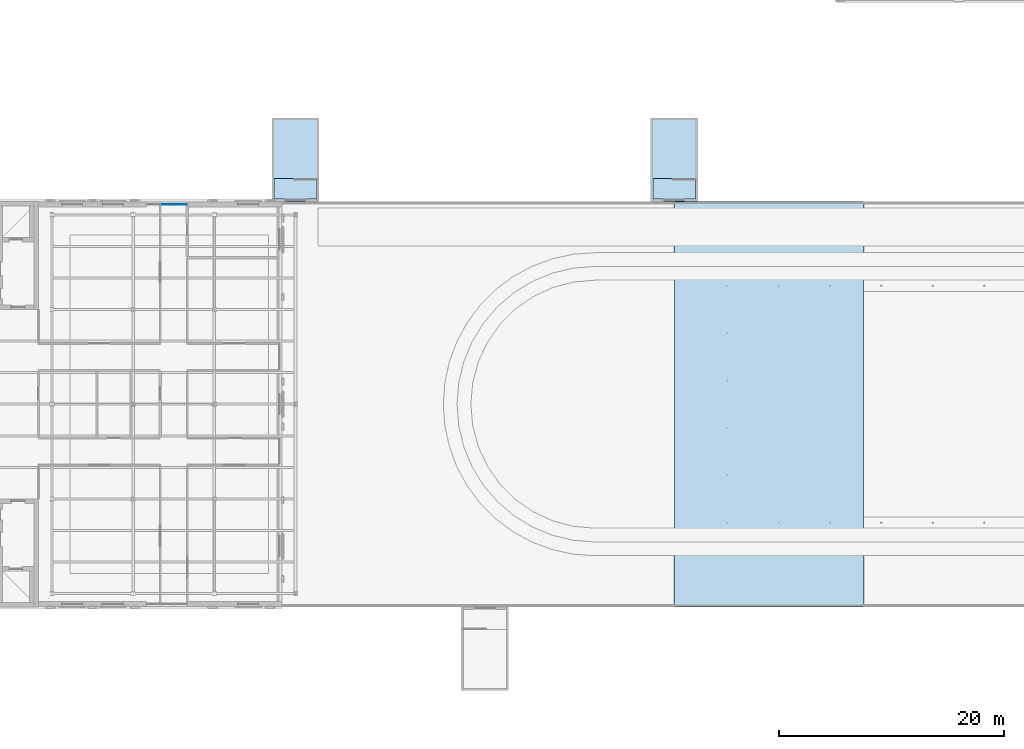
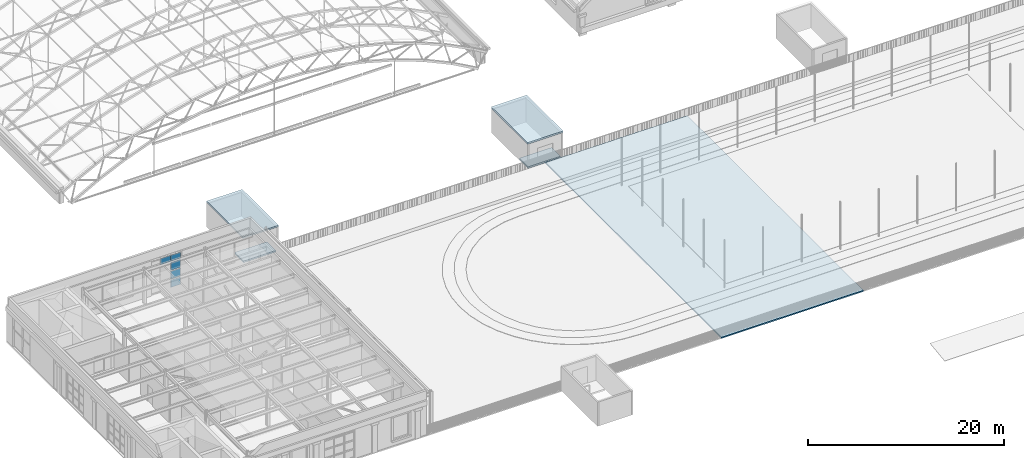
# One storey, part 69 of 127: 5 plates, 5 slabs, 1 element without a shape of its own.
"""IFC4 building model written with IfcOpenShell, lengths in metres."""

from ifc_helpers import new_model, si_unit, direction, frame, origin, origin_2d, place, context, subcontext, project, spatial, polyline, rectangle, outline, extrude, material, layer, layer_set, type_object, element, aggregate, save


model = new_model("IFC4")

# Units and contexts
model_context = context("Model", 3, precision=1e-05, world=origin(), true_north=direction((0.0, 1.0)))
body_context = subcontext(model_context, "Body", "Model", "MODEL_VIEW")
ifc_project = project(units=[si_unit("LENGTHUNIT", "METRE"), si_unit("AREAUNIT", "SQUARE_METRE"), si_unit("VOLUMEUNIT", "CUBIC_METRE"), si_unit("PLANEANGLEUNIT", "RADIAN"), si_unit("MASSUNIT", "GRAM", prefix="KILO")], contexts=[model_context])

# Site, building, storey
site_placement = place(None, origin())
site = spatial("IfcSite", under=ifc_project, at=site_placement, CompositionType="ELEMENT")
building_placement = place(site_placement, origin())
building = spatial("IfcBuilding", under=site, at=building_placement, Name="Verrick Yard Athletic Hall", CompositionType="ELEMENT")
storey_placement = place(building_placement, frame((0.0, 0.0, 14.0)))
storey = spatial("IfcBuildingStorey", under=building, at=storey_placement, Name="L03", CompositionType="ELEMENT", Elevation=14.0)

# Slabs
ifc_material_1 = material(Name="Concrete 35 MPa", Category="concrete")
ifc_layer_1 = layer(ifc_material_1, 0.199951171875)
ifc_layer_set_1 = layer_set([ifc_layer_1], Name="Core floor slab 200")
slab_type_1 = type_object("IfcSlabType", Name="Core floor slab 200", PredefinedType="FLOOR", material=ifc_layer_set_1)
slab_1_placement = place(storey_placement, frame((0.0, 0.0, -0.199951171875)))
element("IfcSlab", 1, at=slab_1_placement, inside=storey, type_object=slab_type_1, Name="CORE-DT-N1-NL-L03", PredefinedType="FLOOR", context=body_context, shape_type="SweptSolid", body=[
    extrude(outline(polyline([(41.89990234375, 54.199951171875), (41.89990234375, 56.0), (38.10009765625, 56.0), (38.10009765625, 54.199951171875), (41.89990234375, 54.199951171875)])), origin(), (0.0, 0.0, 1.0), 0.199951171875),
])
slab_2_placement = place(storey_placement, frame((0.0, 0.0, -0.199951171875)))
element("IfcSlab", 2, at=slab_2_placement, inside=storey, type_object=slab_type_1, Name="CORE-DT-N3-NL-L03", PredefinedType="FLOOR", context=body_context, shape_type="SweptSolid", body=[
    extrude(outline(polyline([(75.5, 54.199951171875), (75.5, 56.0), (71.699951171875, 56.0), (71.699951171875, 54.199951171875), (75.5, 54.199951171875)])), origin(), (0.0, 0.0, 1.0), 0.199951171875),
])
ifc_layer_2 = layer(ifc_material_1, 0.199951171875)
ifc_layer_set_2 = layer_set([ifc_layer_2], Name="Core roof slab 200")
slab_type_2 = type_object("IfcSlabType", Name="Core roof slab 200", PredefinedType="ROOF", material=ifc_layer_set_2)
slab_3_placement = place(storey_placement, frame((0.0, 0.0, 3.0)))
element("IfcSlab", 3, at=slab_3_placement, inside=storey, type_object=slab_type_2, Name="CORE-DT-N1-COVER", PredefinedType="ROOF", context=body_context, shape_type="SweptSolid", body=[
    extrude(outline(polyline([(37.89990234375, 54.0), (42.10009765625, 54.0), (42.10009765625, 61.39990234375), (37.89990234375, 61.39990234375), (37.89990234375, 54.0)])), origin(), (0.0, 0.0, 1.0), 0.199951171875),
])
slab_4_placement = place(storey_placement, frame((0.0, 0.0, 3.0)))
element("IfcSlab", 4, at=slab_4_placement, inside=storey, type_object=slab_type_2, Name="CORE-DT-N3-COVER", PredefinedType="ROOF", context=body_context, shape_type="SweptSolid", body=[
    extrude(outline(polyline([(71.5, 54.0), (75.699951171875, 54.0), (75.699951171875, 61.39990234375), (71.5, 61.39990234375), (71.5, 54.0)])), origin(), (0.0, 0.0, 1.0), 0.199951171875),
])

# Curtain wall, plates
ifc_material_2 = material(Name="Anodised aluminium", Category="aluminium")
ifc_layer_3 = layer(ifc_material_2, 0.199951171875)
ifc_layer_set_3 = layer_set([ifc_layer_3], Name="Front glazing")
curtain_wall_type = type_object("IfcCurtainWallType", Name="Front glazing", PredefinedType="NOTDEFINED", material=ifc_layer_set_3)
curtain_wall_placement = place(storey_placement, origin())
curtain_wall = element("IfcCurtainWall", 5, at=curtain_wall_placement, inside=storey, type_object=curtain_wall_type, Name="ENVB-WN-L03-CW268", PredefinedType="NOTDEFINED")
ifc_material_3 = material(Name="Glass IGU low-e", Category="glass")
ifc_layer_4 = layer(ifc_material_3, 0.03125)
ifc_layer_set_4 = layer_set([ifc_layer_4], Name="Glazing panel 31")
plate_type = type_object("IfcPlateType", Name="Glazing panel 31", PredefinedType="CURTAIN_PANEL", material=ifc_layer_set_4)
plate_1_placement = place(storey_placement, frame((28.60009765625, 53.71875, 3.360107421875), z_axis=(0.0, 0.0, 1.0), x_axis=(1.0, 0.0, 0.0)))
plate_1 = element("IfcPlate", 6, at=plate_1_placement, type_object=plate_type, Name="ENVB-WN-L03-CW268/P01-03", PredefinedType="CURTAIN_PANEL", context=body_context, shape_type="SweptSolid", body=[
    extrude(rectangle(XDim=1.139892578125, YDim=0.03125, at=origin_2d()), origin(), (0.0, 0.0, 1.0), 0.77001953125),
])
plate_2_placement = place(storey_placement, frame((29.784912109375, 53.71875, 0.1201171875), z_axis=(0.0, 0.0, 1.0), x_axis=(1.0, 0.0, 0.0)))
plate_2 = element("IfcPlate", 7, at=plate_2_placement, type_object=plate_type, Name="ENVB-WN-L03-CW268/P02-00", PredefinedType="CURTAIN_PANEL", context=body_context, shape_type="SweptSolid", body=[
    extrude(rectangle(XDim=1.110107421875, YDim=0.03125, at=origin_2d()), origin(), (0.0, 0.0, 1.0), 0.919921875),
])
plate_3_placement = place(storey_placement, frame((29.784912109375, 53.71875, 1.159912109375), z_axis=(0.0, 0.0, 1.0), x_axis=(1.0, 0.0, 0.0)))
plate_3 = element("IfcPlate", 8, at=plate_3_placement, type_object=plate_type, Name="ENVB-WN-L03-CW268/P02-01", PredefinedType="CURTAIN_PANEL", context=body_context, shape_type="SweptSolid", body=[
    extrude(rectangle(XDim=1.110107421875, YDim=0.03125, at=origin_2d()), origin(), (0.0, 0.0, 1.0), 0.97998046875),
])
plate_4_placement = place(storey_placement, frame((29.784912109375, 53.71875, 2.260009765625), z_axis=(0.0, 0.0, 1.0), x_axis=(1.0, 0.0, 0.0)))
plate_4 = element("IfcPlate", 9, at=plate_4_placement, type_object=plate_type, Name="ENVB-WN-L03-CW268/P02-02", PredefinedType="CURTAIN_PANEL", context=body_context, shape_type="SweptSolid", body=[
    extrude(rectangle(XDim=1.110107421875, YDim=0.03125, at=origin_2d()), origin(), (0.0, 0.0, 1.0), 0.97998046875),
])
plate_5_placement = place(storey_placement, frame((29.784912109375, 53.71875, 3.360107421875), z_axis=(0.0, 0.0, 1.0), x_axis=(1.0, 0.0, 0.0)))
plate_5 = element("IfcPlate", 10, at=plate_5_placement, type_object=plate_type, Name="ENVB-WN-L03-CW268/P02-03", PredefinedType="CURTAIN_PANEL", context=body_context, shape_type="SweptSolid", body=[
    extrude(rectangle(XDim=1.110107421875, YDim=0.03125, at=origin_2d()), origin(), (0.0, 0.0, 1.0), 0.77001953125),
])
aggregate(curtain_wall, [plate_1, plate_2, plate_3, plate_4, plate_5])

# Slab
ifc_layer_5 = layer(ifc_material_1, 0.14990234375)
ifc_layer_set_5 = layer_set([ifc_layer_5], Name="STR Composite deck slab SL3")
slab_type_3 = type_object("IfcSlabType", Name="STR Composite deck slab SL3", PredefinedType="ROOF", material=ifc_layer_set_5)
slab_5_placement = place(storey_placement, frame((0.0, 0.0, -0.14990234375)))
element("IfcSlab", 11, at=slab_5_placement, inside=storey, type_object=slab_type_3, Name="STR-SL-DECK-DZ2A", PredefinedType="ROOF", context=body_context, shape_type="SweptSolid", body=[
    extrude(outline(polyline([(90.375, 54.0), (73.625, 54.0), (73.625, 18.0), (90.375, 18.0), (90.375, 54.0)])), origin(), (0.0, 0.0, 1.0), 0.14990234375),
])

save(model, "model.ifc")
